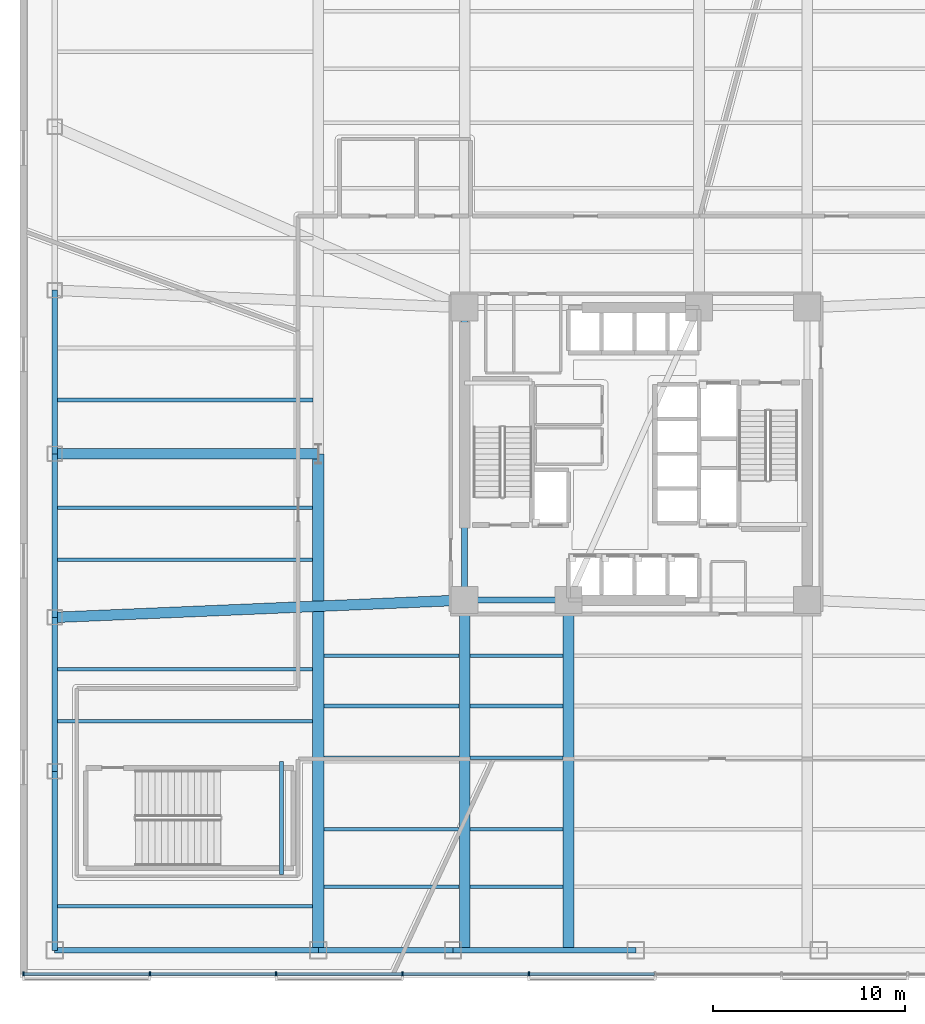
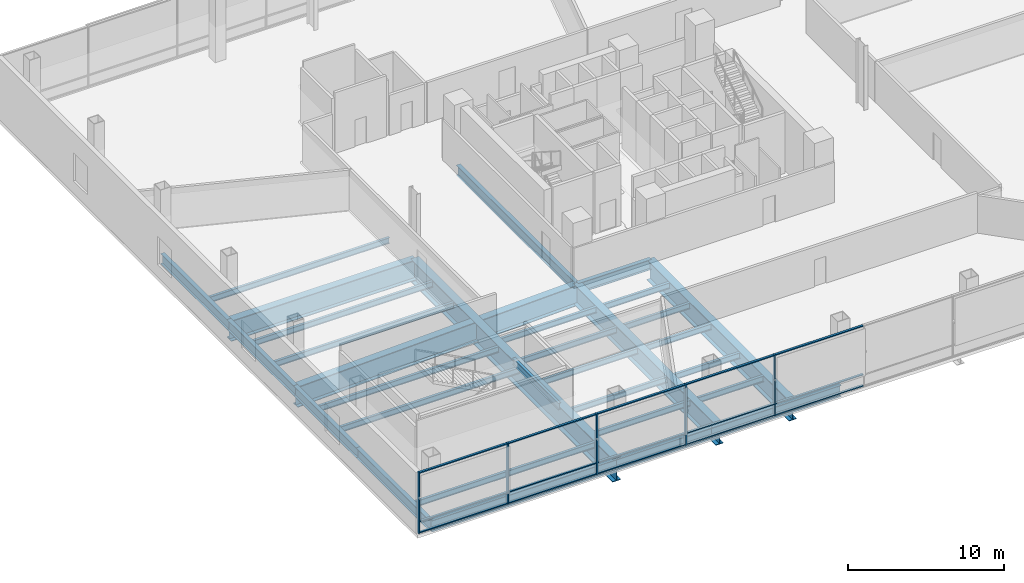
# One storey, part 2 of 24: 31 beams, 20 members, 1 element without a shape of its own.
"""IFC4 building model written with IfcOpenShell, lengths in metres."""

from ifc_helpers import new_model, si_unit, direction, frame, origin, origin_2d, place, context, subcontext, project, spatial, rectangle, i_section, extrude, material, layer, layer_set, material_profile, profile_set, type_object, element, aggregate, save


model = new_model("IFC4")

# Units and contexts
model_context = context("Model", 3, precision=1e-05, world=origin(), true_north=direction((0.0, 1.0)))
body_context = subcontext(model_context, "Body", "Model", "MODEL_VIEW")
ifc_project = project(units=[si_unit("LENGTHUNIT", "METRE"), si_unit("AREAUNIT", "SQUARE_METRE"), si_unit("VOLUMEUNIT", "CUBIC_METRE"), si_unit("PLANEANGLEUNIT", "RADIAN"), si_unit("MASSUNIT", "GRAM", prefix="KILO")], contexts=[model_context])

# Site, building, storey
site_placement = place(None, origin())
site = spatial("IfcSite", under=ifc_project, at=site_placement, CompositionType="ELEMENT")
building_placement = place(site_placement, origin())
building = spatial("IfcBuilding", under=site, at=building_placement, Name="Tharavind Bronze Gate", CompositionType="ELEMENT")
storey_placement = place(building_placement, frame((0.0, 0.0, 21.5)))
storey = spatial("IfcBuildingStorey", under=building, at=storey_placement, Name="L04", CompositionType="ELEMENT", Elevation=21.5)

# Curtain wall, members
ifc_material_1 = material(Name="Anodised Bronze Aluminium", Category="aluminium")
ifc_layer = layer(ifc_material_1, 0.219970703125)
ifc_layer_set = layer_set([ifc_layer], Name="Anodised Bronze Aluminium")
curtain_wall_type = type_object("IfcCurtainWallType", Name="UNITISED CURTAIN WALL PODIUM", PredefinedType="USERDEFINED", material=ifc_layer_set)
curtain_wall_placement = place(storey_placement, origin())
curtain_wall = element("IfcCurtainWall", 1, at=curtain_wall_placement, inside=storey, type_object=curtain_wall_type, Name="L04 unitised curtain wall podium CW-L04-S1", ObjectType="UNITISED CURTAIN WALL", PredefinedType="USERDEFINED")
member_type_1 = type_object("IfcMemberType", Name="CURTAIN WALL MULLION 80X220", PredefinedType="MULLION", material=ifc_material_1)
member_1_placement = place(storey_placement, frame((-31.820068359375, -27.02001953125, 0.0), z_axis=(0.0, 0.0, 1.0), x_axis=(1.0, 0.0, 0.0)))
member_1 = element("IfcMember", 2, at=member_1_placement, type_object=member_type_1, Name="CW-L04-S1 mullion 1", PredefinedType="MULLION", context=body_context, shape_type="SweptSolid", body=[
    extrude(rectangle(XDim=0.080078125, YDim=0.219970703125, at=origin_2d()), origin(), (0.0, 0.0, 1.0), 4.739990234375),
])
member_2_placement = place(storey_placement, frame((-25.256103515625, -27.02001953125, 0.0), z_axis=(0.0, 0.0, 1.0), x_axis=(1.0, 0.0, 0.0)))
member_2 = element("IfcMember", 3, at=member_2_placement, type_object=member_type_1, Name="CW-L04-S1 mullion 2", PredefinedType="MULLION", context=body_context, shape_type="SweptSolid", body=[
    extrude(rectangle(XDim=0.080078125, YDim=0.219970703125, at=origin_2d()), origin(), (0.0, 0.0, 1.0), 4.739990234375),
])
member_3_placement = place(storey_placement, frame((-18.69189453125, -27.02001953125, 0.0), z_axis=(0.0, 0.0, 1.0), x_axis=(1.0, 0.0, 0.0)))
member_3 = element("IfcMember", 4, at=member_3_placement, type_object=member_type_1, Name="CW-L04-S1 mullion 3", PredefinedType="MULLION", context=body_context, shape_type="SweptSolid", body=[
    extrude(rectangle(XDim=0.080078125, YDim=0.219970703125, at=origin_2d()), origin(), (0.0, 0.0, 1.0), 4.739990234375),
])
member_4_placement = place(storey_placement, frame((-12.1279296875, -27.02001953125, 0.0), z_axis=(0.0, 0.0, 1.0), x_axis=(1.0, 0.0, 0.0)))
member_4 = element("IfcMember", 5, at=member_4_placement, type_object=member_type_1, Name="CW-L04-S1 mullion 4", PredefinedType="MULLION", context=body_context, shape_type="SweptSolid", body=[
    extrude(rectangle(XDim=0.080078125, YDim=0.219970703125, at=origin_2d()), origin(), (0.0, 0.0, 1.0), 4.739990234375),
])
member_5_placement = place(storey_placement, frame((-5.56396484375, -27.02001953125, 0.0), z_axis=(0.0, 0.0, 1.0), x_axis=(1.0, 0.0, 0.0)))
member_5 = element("IfcMember", 6, at=member_5_placement, type_object=member_type_1, Name="CW-L04-S1 mullion 5", PredefinedType="MULLION", context=body_context, shape_type="SweptSolid", body=[
    extrude(rectangle(XDim=0.080078125, YDim=0.219970703125, at=origin_2d()), origin(), (0.0, 0.0, 1.0), 4.739990234375),
])
member_type_2 = type_object("IfcMemberType", Name="CURTAIN WALL TRANSOM 80X160", PredefinedType="USERDEFINED", material=ifc_material_1)
member_6_placement = place(storey_placement, frame((-28.5380859375, -27.02001953125, 0.0), z_axis=(0.0, 0.0, 1.0), x_axis=(1.0, 0.0, 0.0)))
member_6 = element("IfcMember", 7, at=member_6_placement, type_object=member_type_2, Name="CW-L04-S1 transom TB1", ObjectType="TRANSOM", PredefinedType="USERDEFINED", context=body_context, shape_type="SweptSolid", body=[
    extrude(rectangle(XDim=6.49609375, YDim=0.159912109375, at=origin_2d()), origin(), (0.0, 0.0, 1.0), 0.080078125),
])
member_7_placement = place(storey_placement, frame((-28.5380859375, -27.02001953125, 0.85986328125), z_axis=(0.0, 0.0, 1.0), x_axis=(1.0, 0.0, 0.0)))
member_7 = element("IfcMember", 8, at=member_7_placement, type_object=member_type_2, Name="CW-L04-S1 transom TS1", ObjectType="TRANSOM", PredefinedType="USERDEFINED", context=body_context, shape_type="SweptSolid", body=[
    extrude(rectangle(XDim=6.49609375, YDim=0.159912109375, at=origin_2d()), origin(), (0.0, 0.0, 1.0), 0.080078125),
])
member_8_placement = place(storey_placement, frame((-28.5380859375, -27.02001953125, 4.659912109375), z_axis=(0.0, 0.0, 1.0), x_axis=(1.0, 0.0, 0.0)))
member_8 = element("IfcMember", 9, at=member_8_placement, type_object=member_type_2, Name="CW-L04-S1 transom TT1", ObjectType="TRANSOM", PredefinedType="USERDEFINED", context=body_context, shape_type="SweptSolid", body=[
    extrude(rectangle(XDim=6.49609375, YDim=0.159912109375, at=origin_2d()), origin(), (0.0, 0.0, 1.0), 0.080078125),
])
member_9_placement = place(storey_placement, frame((-21.97412109375, -27.02001953125, 0.0), z_axis=(0.0, 0.0, 1.0), x_axis=(1.0, 0.0, 0.0)))
member_9 = element("IfcMember", 10, at=member_9_placement, type_object=member_type_2, Name="CW-L04-S1 transom TB2", ObjectType="TRANSOM", PredefinedType="USERDEFINED", context=body_context, shape_type="SweptSolid", body=[
    extrude(rectangle(XDim=6.49609375, YDim=0.159912109375, at=origin_2d()), origin(), (0.0, 0.0, 1.0), 0.080078125),
])
member_10_placement = place(storey_placement, frame((-21.97412109375, -27.02001953125, 0.85986328125), z_axis=(0.0, 0.0, 1.0), x_axis=(1.0, 0.0, 0.0)))
member_10 = element("IfcMember", 11, at=member_10_placement, type_object=member_type_2, Name="CW-L04-S1 transom TS2", ObjectType="TRANSOM", PredefinedType="USERDEFINED", context=body_context, shape_type="SweptSolid", body=[
    extrude(rectangle(XDim=6.49609375, YDim=0.159912109375, at=origin_2d()), origin(), (0.0, 0.0, 1.0), 0.080078125),
])
member_11_placement = place(storey_placement, frame((-21.97412109375, -27.02001953125, 4.659912109375), z_axis=(0.0, 0.0, 1.0), x_axis=(1.0, 0.0, 0.0)))
member_11 = element("IfcMember", 12, at=member_11_placement, type_object=member_type_2, Name="CW-L04-S1 transom TT2", ObjectType="TRANSOM", PredefinedType="USERDEFINED", context=body_context, shape_type="SweptSolid", body=[
    extrude(rectangle(XDim=6.49609375, YDim=0.159912109375, at=origin_2d()), origin(), (0.0, 0.0, 1.0), 0.080078125),
])
member_12_placement = place(storey_placement, frame((-15.409912109375, -27.02001953125, 0.0), z_axis=(0.0, 0.0, 1.0), x_axis=(1.0, 0.0, 0.0)))
member_12 = element("IfcMember", 13, at=member_12_placement, type_object=member_type_2, Name="CW-L04-S1 transom TB3", ObjectType="TRANSOM", PredefinedType="USERDEFINED", context=body_context, shape_type="SweptSolid", body=[
    extrude(rectangle(XDim=6.49609375, YDim=0.159912109375, at=origin_2d()), origin(), (0.0, 0.0, 1.0), 0.080078125),
])
member_13_placement = place(storey_placement, frame((-15.409912109375, -27.02001953125, 0.85986328125), z_axis=(0.0, 0.0, 1.0), x_axis=(1.0, 0.0, 0.0)))
member_13 = element("IfcMember", 14, at=member_13_placement, type_object=member_type_2, Name="CW-L04-S1 transom TS3", ObjectType="TRANSOM", PredefinedType="USERDEFINED", context=body_context, shape_type="SweptSolid", body=[
    extrude(rectangle(XDim=6.49609375, YDim=0.159912109375, at=origin_2d()), origin(), (0.0, 0.0, 1.0), 0.080078125),
])
member_14_placement = place(storey_placement, frame((-15.409912109375, -27.02001953125, 4.659912109375), z_axis=(0.0, 0.0, 1.0), x_axis=(1.0, 0.0, 0.0)))
member_14 = element("IfcMember", 15, at=member_14_placement, type_object=member_type_2, Name="CW-L04-S1 transom TT3", ObjectType="TRANSOM", PredefinedType="USERDEFINED", context=body_context, shape_type="SweptSolid", body=[
    extrude(rectangle(XDim=6.49609375, YDim=0.159912109375, at=origin_2d()), origin(), (0.0, 0.0, 1.0), 0.080078125),
])
member_15_placement = place(storey_placement, frame((-8.845947265625, -27.02001953125, 0.0), z_axis=(0.0, 0.0, 1.0), x_axis=(1.0, 0.0, 0.0)))
member_15 = element("IfcMember", 16, at=member_15_placement, type_object=member_type_2, Name="CW-L04-S1 transom TB4", ObjectType="TRANSOM", PredefinedType="USERDEFINED", context=body_context, shape_type="SweptSolid", body=[
    extrude(rectangle(XDim=6.49609375, YDim=0.159912109375, at=origin_2d()), origin(), (0.0, 0.0, 1.0), 0.080078125),
])
member_16_placement = place(storey_placement, frame((-8.845947265625, -27.02001953125, 0.85986328125), z_axis=(0.0, 0.0, 1.0), x_axis=(1.0, 0.0, 0.0)))
member_16 = element("IfcMember", 17, at=member_16_placement, type_object=member_type_2, Name="CW-L04-S1 transom TS4", ObjectType="TRANSOM", PredefinedType="USERDEFINED", context=body_context, shape_type="SweptSolid", body=[
    extrude(rectangle(XDim=6.49609375, YDim=0.159912109375, at=origin_2d()), origin(), (0.0, 0.0, 1.0), 0.080078125),
])
member_17_placement = place(storey_placement, frame((-8.845947265625, -27.02001953125, 4.659912109375), z_axis=(0.0, 0.0, 1.0), x_axis=(1.0, 0.0, 0.0)))
member_17 = element("IfcMember", 18, at=member_17_placement, type_object=member_type_2, Name="CW-L04-S1 transom TT4", ObjectType="TRANSOM", PredefinedType="USERDEFINED", context=body_context, shape_type="SweptSolid", body=[
    extrude(rectangle(XDim=6.49609375, YDim=0.159912109375, at=origin_2d()), origin(), (0.0, 0.0, 1.0), 0.080078125),
])
member_18_placement = place(storey_placement, frame((-2.281982421875, -27.02001953125, 0.0), z_axis=(0.0, 0.0, 1.0), x_axis=(1.0, 0.0, 0.0)))
member_18 = element("IfcMember", 19, at=member_18_placement, type_object=member_type_2, Name="CW-L04-S1 transom TB5", ObjectType="TRANSOM", PredefinedType="USERDEFINED", context=body_context, shape_type="SweptSolid", body=[
    extrude(rectangle(XDim=6.49609375, YDim=0.159912109375, at=origin_2d()), origin(), (0.0, 0.0, 1.0), 0.080078125),
])
member_19_placement = place(storey_placement, frame((-2.281982421875, -27.02001953125, 0.85986328125), z_axis=(0.0, 0.0, 1.0), x_axis=(1.0, 0.0, 0.0)))
member_19 = element("IfcMember", 20, at=member_19_placement, type_object=member_type_2, Name="CW-L04-S1 transom TS5", ObjectType="TRANSOM", PredefinedType="USERDEFINED", context=body_context, shape_type="SweptSolid", body=[
    extrude(rectangle(XDim=6.49609375, YDim=0.159912109375, at=origin_2d()), origin(), (0.0, 0.0, 1.0), 0.080078125),
])
member_20_placement = place(storey_placement, frame((-2.281982421875, -27.02001953125, 4.659912109375), z_axis=(0.0, 0.0, 1.0), x_axis=(1.0, 0.0, 0.0)))
member_20 = element("IfcMember", 21, at=member_20_placement, type_object=member_type_2, Name="CW-L04-S1 transom TT5", ObjectType="TRANSOM", PredefinedType="USERDEFINED", context=body_context, shape_type="SweptSolid", body=[
    extrude(rectangle(XDim=6.49609375, YDim=0.159912109375, at=origin_2d()), origin(), (0.0, 0.0, 1.0), 0.080078125),
])
aggregate(curtain_wall, [member_1, member_2, member_3, member_4, member_5, member_6, member_7, member_8, member_9, member_10, member_11, member_12, member_13, member_14, member_15, member_16, member_17, member_18, member_19, member_20])

# Beams
ifc_material_2 = material(Name="Steel S355", Category="steel")
ifc_material_profile_1 = material_profile(ifc_material_2, i_section(OverallWidth=0.199951171875, OverallDepth=0.5, WebThickness=0.01025390625, FlangeThickness=0.01611328125, at=origin_2d()), Name="IPE500")
ifc_profile_set_1 = profile_set([ifc_material_profile_1], Name="Steel S355")
beam_type_1 = type_object("IfcBeamType", Name="PRIMARY GIRDER IPE500", PredefinedType="USERDEFINED", material=ifc_profile_set_1)
beam_1_placement = place(storey_placement, frame((-18.419921875, -21.85009765625, 2.050048828125), z_axis=(0.0, 1.0, 0.0), x_axis=(-1.0, 0.0, 0.0)))
element("IfcBeam", 22, at=beam_1_placement, inside=storey, type_object=beam_type_1, Name="L04 primary girder ipe500 BM-LD-ST3-L04-1", ObjectType="GIRDER", PredefinedType="USERDEFINED", context=body_context, shape_type="SweptSolid", body=[
    extrude(i_section(OverallWidth=0.199951171875, OverallDepth=0.5, WebThickness=0.01025390625, FlangeThickness=0.01611328125, at=origin_2d()), origin(), (0.0, 0.0, 1.0), 5.85009765625),
])
ifc_material_profile_2 = material_profile(ifc_material_2, i_section(OverallWidth=0.300048828125, OverallDepth=0.800048828125, WebThickness=0.017578125, FlangeThickness=0.032958984375, at=origin_2d()), Name="HE800B")
ifc_profile_set_2 = profile_set([ifc_material_profile_2], Name="Steel S355")
beam_type_2 = type_object("IfcBeamType", Name="RING GIRDER HE800B", PredefinedType="USERDEFINED", material=ifc_profile_set_2)
beam_2_placement = place(storey_placement, frame((-8.89990234375, -7.60009765625, -0.659912109375), z_axis=(1.0, 0.0, 0.0), x_axis=(0.0, 1.0, 0.0)))
element("IfcBeam", 23, at=beam_2_placement, inside=storey, type_object=beam_type_2, Name="L04 ring girder he800b BM-L04-CR1", ObjectType="GIRDER", PredefinedType="USERDEFINED", context=body_context, shape_type="SweptSolid", body=[
    extrude(i_section(OverallWidth=0.300048828125, OverallDepth=0.800048828125, WebThickness=0.017578125, FlangeThickness=0.032958984375, at=origin_2d()), origin(), (0.0, 0.0, 1.0), 5.39990234375),
])
beam_3_placement = place(storey_placement, frame((-8.89990234375, 7.60009765625, -0.659912109375), z_axis=(0.0, -1.0, 0.0), x_axis=(1.0, 0.0, 0.0)))
element("IfcBeam", 24, at=beam_3_placement, inside=storey, type_object=beam_type_2, Name="L04 ring girder he800b BM-L04-CR6", ObjectType="GIRDER", PredefinedType="USERDEFINED", context=body_context, shape_type="SweptSolid", body=[
    extrude(i_section(OverallWidth=0.300048828125, OverallDepth=0.800048828125, WebThickness=0.017578125, FlangeThickness=0.032958984375, at=origin_2d()), origin(), (0.0, 0.0, 1.0), 15.2001953125),
])
beam_4_placement = place(storey_placement, frame((-30.199951171875, -25.800048828125, -0.659912109375), z_axis=(0.0, 1.0, 0.0), x_axis=(-1.0, 0.0, 0.0)))
element("IfcBeam", 25, at=beam_4_placement, inside=storey, type_object=beam_type_2, Name="L04 ring girder he800b BM-L04-PW1", ObjectType="GIRDER", PredefinedType="USERDEFINED", context=body_context, shape_type="SweptSolid", body=[
    extrude(i_section(OverallWidth=0.300048828125, OverallDepth=0.800048828125, WebThickness=0.017578125, FlangeThickness=0.032958984375, at=origin_2d()), origin(), (0.0, 0.0, 1.0), 9.300048828125),
])
beam_5_placement = place(storey_placement, frame((-30.199951171875, -16.5, -0.659912109375), z_axis=(0.0, 1.0, 0.0), x_axis=(-1.0, 0.0, 0.0)))
element("IfcBeam", 26, at=beam_5_placement, inside=storey, type_object=beam_type_2, Name="L04 ring girder he800b BM-L04-PW2", ObjectType="GIRDER", PredefinedType="USERDEFINED", context=body_context, shape_type="SweptSolid", body=[
    extrude(i_section(OverallWidth=0.300048828125, OverallDepth=0.800048828125, WebThickness=0.017578125, FlangeThickness=0.032958984375, at=origin_2d()), origin(), (0.0, 0.0, 1.0), 8.0),
])
for number, where, z_axis, x_axis, name in (
    (27, (-30.199951171875, -8.5, -0.659912109375), (0.0, 1.0, 0.0), (-1.0, 0.0, 0.0), "L04 ring girder he800b BM-L04-PW3"),
    (28, (-30.199951171875, 0.0, -0.659912109375), (0.0, 1.0, 0.0), (-1.0, 0.0, 0.0), "L04 ring girder he800b BM-L04-PW4"),
):
    element("IfcBeam", number, at=place(storey_placement, frame(where, z_axis=z_axis, x_axis=x_axis)), inside=storey, type_object=beam_type_2, Name=name, ObjectType="GIRDER", PredefinedType="USERDEFINED", context=body_context, shape_type="SweptSolid", body=[
        extrude(i_section(OverallWidth=0.300048828125, OverallDepth=0.800048828125, WebThickness=0.017578125, FlangeThickness=0.032958984375, at=origin_2d()), origin(), (0.0, 0.0, 1.0), 8.5),
    ])
ifc_material_profile_3 = material_profile(ifc_material_2, i_section(OverallWidth=0.18994140625, OverallDepth=0.449951171875, WebThickness=0.009521484375, FlangeThickness=0.0146484375, at=origin_2d()), Name="IPE450")
ifc_profile_set_3 = profile_set([ifc_material_profile_3], Name="Steel S355")
beam_type_3 = type_object("IfcBeamType", Name="SECONDARY FLOOR JOIST IPE450", PredefinedType="JOIST", material=ifc_profile_set_3)
beam_6_placement = place(storey_placement, frame((-8.623046875, -22.5, -0.485107421875), z_axis=(1.0, 0.0, 0.0), x_axis=(0.0, 1.0, 0.0)))
element("IfcBeam", 29, at=beam_6_placement, inside=storey, type_object=beam_type_3, Name="L04 secondary floor joist ipe450 BM-L04-JSS1A", PredefinedType="JOIST", context=body_context, shape_type="SweptSolid", body=[
    extrude(i_section(OverallWidth=0.18994140625, OverallDepth=0.449951171875, WebThickness=0.009521484375, FlangeThickness=0.0146484375, at=origin_2d()), origin(), (0.0, 0.0, 1.0), 4.845947265625),
])
beam_7_placement = place(storey_placement, frame((-16.197998046875, -22.5, -0.485107421875), z_axis=(1.0, 0.0, 0.0), x_axis=(0.0, 1.0, 0.0)))
element("IfcBeam", 30, at=beam_7_placement, inside=storey, type_object=beam_type_3, Name="L04 secondary floor joist ipe450 BM-L04-JSS1W", PredefinedType="JOIST", context=body_context, shape_type="SweptSolid", body=[
    extrude(i_section(OverallWidth=0.18994140625, OverallDepth=0.449951171875, WebThickness=0.009521484375, FlangeThickness=0.0146484375, at=origin_2d()), origin(), (0.0, 0.0, 1.0), 7.02099609375),
])
beam_8_placement = place(storey_placement, frame((-8.623046875, -19.5, -0.485107421875), z_axis=(1.0, 0.0, 0.0), x_axis=(0.0, 1.0, 0.0)))
element("IfcBeam", 31, at=beam_8_placement, inside=storey, type_object=beam_type_3, Name="L04 secondary floor joist ipe450 BM-L04-JSS2A", PredefinedType="JOIST", context=body_context, shape_type="SweptSolid", body=[
    extrude(i_section(OverallWidth=0.18994140625, OverallDepth=0.449951171875, WebThickness=0.009521484375, FlangeThickness=0.0146484375, at=origin_2d()), origin(), (0.0, 0.0, 1.0), 4.845947265625),
])
beam_9_placement = place(storey_placement, frame((-16.197998046875, -19.5, -0.485107421875), z_axis=(1.0, 0.0, 0.0), x_axis=(0.0, 1.0, 0.0)))
element("IfcBeam", 32, at=beam_9_placement, inside=storey, type_object=beam_type_3, Name="L04 secondary floor joist ipe450 BM-L04-JSS2W", PredefinedType="JOIST", context=body_context, shape_type="SweptSolid", body=[
    extrude(i_section(OverallWidth=0.18994140625, OverallDepth=0.449951171875, WebThickness=0.009521484375, FlangeThickness=0.0146484375, at=origin_2d()), origin(), (0.0, 0.0, 1.0), 7.02099609375),
])
beam_10_placement = place(storey_placement, frame((-8.623046875, -15.800048828125, -0.485107421875), z_axis=(1.0, 0.0, 0.0), x_axis=(0.0, 1.0, 0.0)))
element("IfcBeam", 33, at=beam_10_placement, inside=storey, type_object=beam_type_3, Name="L04 secondary floor joist ipe450 BM-L04-JSS3A", PredefinedType="JOIST", context=body_context, shape_type="SweptSolid", body=[
    extrude(i_section(OverallWidth=0.18994140625, OverallDepth=0.449951171875, WebThickness=0.009521484375, FlangeThickness=0.0146484375, at=origin_2d()), origin(), (0.0, 0.0, 1.0), 4.845947265625),
])
beam_11_placement = place(storey_placement, frame((-16.197998046875, -15.800048828125, -0.485107421875), z_axis=(1.0, 0.0, 0.0), x_axis=(0.0, 1.0, 0.0)))
element("IfcBeam", 34, at=beam_11_placement, inside=storey, type_object=beam_type_3, Name="L04 secondary floor joist ipe450 BM-L04-JSS3W", PredefinedType="JOIST", context=body_context, shape_type="SweptSolid", body=[
    extrude(i_section(OverallWidth=0.18994140625, OverallDepth=0.449951171875, WebThickness=0.009521484375, FlangeThickness=0.0146484375, at=origin_2d()), origin(), (0.0, 0.0, 1.0), 7.02099609375),
])
beam_12_placement = place(storey_placement, frame((-8.623046875, -13.10009765625, -0.485107421875), z_axis=(1.0, 0.0, 0.0), x_axis=(0.0, 1.0, 0.0)))
element("IfcBeam", 35, at=beam_12_placement, inside=storey, type_object=beam_type_3, Name="L04 secondary floor joist ipe450 BM-L04-JSS4A", PredefinedType="JOIST", context=body_context, shape_type="SweptSolid", body=[
    extrude(i_section(OverallWidth=0.18994140625, OverallDepth=0.449951171875, WebThickness=0.009521484375, FlangeThickness=0.0146484375, at=origin_2d()), origin(), (0.0, 0.0, 1.0), 4.845947265625),
])
beam_13_placement = place(storey_placement, frame((-16.197998046875, -13.10009765625, -0.485107421875), z_axis=(1.0, 0.0, 0.0), x_axis=(0.0, 1.0, 0.0)))
element("IfcBeam", 36, at=beam_13_placement, inside=storey, type_object=beam_type_3, Name="L04 secondary floor joist ipe450 BM-L04-JSS4W", PredefinedType="JOIST", context=body_context, shape_type="SweptSolid", body=[
    extrude(i_section(OverallWidth=0.18994140625, OverallDepth=0.449951171875, WebThickness=0.009521484375, FlangeThickness=0.0146484375, at=origin_2d()), origin(), (0.0, 0.0, 1.0), 7.02099609375),
])
beam_14_placement = place(storey_placement, frame((-8.623046875, -10.5, -0.485107421875), z_axis=(1.0, 0.0, 0.0), x_axis=(0.0, 1.0, 0.0)))
element("IfcBeam", 37, at=beam_14_placement, inside=storey, type_object=beam_type_3, Name="L04 secondary floor joist ipe450 BM-L04-JSS5A", PredefinedType="JOIST", context=body_context, shape_type="SweptSolid", body=[
    extrude(i_section(OverallWidth=0.18994140625, OverallDepth=0.449951171875, WebThickness=0.009521484375, FlangeThickness=0.0146484375, at=origin_2d()), origin(), (0.0, 0.0, 1.0), 4.845947265625),
])
beam_15_placement = place(storey_placement, frame((-16.197998046875, -10.5, -0.485107421875), z_axis=(1.0, 0.0, 0.0), x_axis=(0.0, 1.0, 0.0)))
element("IfcBeam", 38, at=beam_15_placement, inside=storey, type_object=beam_type_3, Name="L04 secondary floor joist ipe450 BM-L04-JSS5W", PredefinedType="JOIST", context=body_context, shape_type="SweptSolid", body=[
    extrude(i_section(OverallWidth=0.18994140625, OverallDepth=0.449951171875, WebThickness=0.009521484375, FlangeThickness=0.0146484375, at=origin_2d()), origin(), (0.0, 0.0, 1.0), 7.02099609375),
])
for number, where, z_axis, x_axis, name in (
    (39, (-30.0400390625, -23.5, -0.485107421875), (1.0, 0.0, 0.0), (0.0, 1.0, 0.0), "L04 secondary floor joist ipe450 BM-L04-JSWW1"),
    (40, (-30.0400390625, -13.89990234375, -0.485107421875), (1.0, 0.0, 0.0), (0.0, 1.0, 0.0), "L04 secondary floor joist ipe450 BM-L04-JSWW2"),
    (41, (-30.0400390625, -11.199951171875, -0.485107421875), (1.0, 0.0, 0.0), (0.0, 1.0, 0.0), "L04 secondary floor joist ipe450 BM-L04-JSWW3"),
    (42, (-30.0400390625, -5.5, -0.485107421875), (1.0, 0.0, 0.0), (0.0, 1.0, 0.0), "L04 secondary floor joist ipe450 BM-L04-JSWW4"),
    (43, (-30.0400390625, -2.800048828125, -0.485107421875), (1.0, 0.0, 0.0), (0.0, 1.0, 0.0), "L04 secondary floor joist ipe450 BM-L04-JSWW5"),
):
    element("IfcBeam", number, at=place(storey_placement, frame(where, z_axis=z_axis, x_axis=x_axis)), inside=storey, type_object=beam_type_3, Name=name, PredefinedType="JOIST", context=body_context, shape_type="SweptSolid", body=[
        extrude(i_section(OverallWidth=0.18994140625, OverallDepth=0.449951171875, WebThickness=0.009521484375, FlangeThickness=0.0146484375, at=origin_2d()), origin(), (0.0, 0.0, 1.0), 13.238037109375),
    ])
beam_16_placement = place(storey_placement, frame((-30.0400390625, 2.800048828125, -0.485107421875), z_axis=(1.0, 0.0, 0.0), x_axis=(0.0, 1.0, 0.0)))
element("IfcBeam", 44, at=beam_16_placement, inside=storey, type_object=beam_type_3, Name="L04 secondary floor joist ipe450 BM-L04-JSWW6", PredefinedType="JOIST", context=body_context, shape_type="SweptSolid", body=[
    extrude(i_section(OverallWidth=0.18994140625, OverallDepth=0.449951171875, WebThickness=0.009521484375, FlangeThickness=0.0146484375, at=origin_2d()), origin(), (0.0, 0.0, 1.0), 13.262939453125),
])
ifc_material_profile_4 = material_profile(ifc_material_2, i_section(OverallWidth=0.300048828125, OverallDepth=0.89990234375, WebThickness=0.0185546875, FlangeThickness=0.034912109375, at=origin_2d()), Name="HE900B")
ifc_profile_set_4 = profile_set([ifc_material_profile_4], Name="Steel S355")
beam_type_4 = type_object("IfcBeamType", Name="SPANDREL RING BEAM HE900B", PredefinedType="SPANDREL", material=ifc_profile_set_4)
beam_17_placement = place(storey_placement, frame((-30.199951171875, -25.800048828125, -0.7099609375), z_axis=(1.0, 0.0, 0.0), x_axis=(0.0, 1.0, 0.0)))
element("IfcBeam", 45, at=beam_17_placement, inside=storey, type_object=beam_type_4, Name="L04 spandrel ring beam he900b BM-L04-PS1", PredefinedType="SPANDREL", context=body_context, shape_type="SweptSolid", body=[
    extrude(i_section(OverallWidth=0.300048828125, OverallDepth=0.89990234375, WebThickness=0.0185546875, FlangeThickness=0.034912109375, at=origin_2d()), origin(), (0.0, 0.0, 1.0), 13.699951171875),
])
beam_18_placement = place(storey_placement, frame((-16.5, -25.800048828125, -0.7099609375), z_axis=(1.0, 0.0, 0.0), x_axis=(0.0, 1.0, 0.0)))
element("IfcBeam", 46, at=beam_18_placement, inside=storey, type_object=beam_type_4, Name="L04 spandrel ring beam he900b BM-L04-PS2", PredefinedType="SPANDREL", context=body_context, shape_type="SweptSolid", body=[
    extrude(i_section(OverallWidth=0.300048828125, OverallDepth=0.89990234375, WebThickness=0.0185546875, FlangeThickness=0.034912109375, at=origin_2d()), origin(), (0.0, 0.0, 1.0), 7.0),
])
beam_19_placement = place(storey_placement, frame((-9.5, -25.800048828125, -0.7099609375), z_axis=(1.0, 0.0, 0.0), x_axis=(0.0, 1.0, 0.0)))
element("IfcBeam", 47, at=beam_19_placement, inside=storey, type_object=beam_type_4, Name="L04 spandrel ring beam he900b BM-L04-PS3", PredefinedType="SPANDREL", context=body_context, shape_type="SweptSolid", body=[
    extrude(i_section(OverallWidth=0.300048828125, OverallDepth=0.89990234375, WebThickness=0.0185546875, FlangeThickness=0.034912109375, at=origin_2d()), origin(), (0.0, 0.0, 1.0), 9.5),
])
ifc_material_3 = material(Name="Steel S460", Category="steel")
ifc_material_profile_5 = material_profile(ifc_material_3, i_section(OverallWidth=0.550048828125, OverallDepth=1.60009765625, WebThickness=0.030029296875, FlangeThickness=0.050048828125, at=origin_2d()), Name="PG1600X550")
ifc_profile_set_5 = profile_set([ifc_material_profile_5], Name="Steel S460")
beam_type_5 = type_object("IfcBeamType", Name="TRANSFER GIRDER 1600X550", PredefinedType="USERDEFINED", material=ifc_profile_set_5)
for number, where, z_axis, x_axis, name in (
    (48, (-8.89990234375, -25.800048828125, -1.06005859375), (0.0, 1.0, 0.0), (-1.0, 0.0, 0.0), "L04 transfer girder 1600x550 BM-L04-GS2"),
    (49, (-3.5, -25.800048828125, -1.06005859375), (0.0, 1.0, 0.0), (-1.0, 0.0, 0.0), "L04 transfer girder 1600x550 BM-L04-GS3"),
):
    element("IfcBeam", number, at=place(storey_placement, frame(where, z_axis=z_axis, x_axis=x_axis)), inside=storey, type_object=beam_type_5, Name=name, ObjectType="TRANSFER GIRDER", PredefinedType="USERDEFINED", context=body_context, shape_type="SweptSolid", body=[
        extrude(i_section(OverallWidth=0.550048828125, OverallDepth=1.60009765625, WebThickness=0.030029296875, FlangeThickness=0.050048828125, at=origin_2d()), origin(), (0.0, 0.0, 1.0), 18.199951171875),
    ])
beam_20_placement = place(storey_placement, frame((-30.199951171875, -8.5, -1.06005859375), z_axis=(0.999108710794, 0.04221118354, 0.0), x_axis=(-0.04221118354, 0.999108710794, 0.0)))
element("IfcBeam", 50, at=beam_20_placement, inside=storey, type_object=beam_type_5, Name="L04 transfer girder 1600x550 BM-L04-GW1", ObjectType="TRANSFER GIRDER", PredefinedType="USERDEFINED", context=body_context, shape_type="SweptSolid", body=[
    extrude(i_section(OverallWidth=0.550048828125, OverallDepth=1.60009765625, WebThickness=0.030029296875, FlangeThickness=0.050048828125, at=origin_2d()), origin(), (0.0, 0.0, 1.0), 21.319091796875),
])
beam_21_placement = place(storey_placement, frame((-30.199951171875, 0.0, -1.06005859375), z_axis=(1.0, 0.0, 0.0), x_axis=(0.0, 1.0, 0.0)))
element("IfcBeam", 51, at=beam_21_placement, inside=storey, type_object=beam_type_5, Name="L04 transfer girder 1600x550 BM-L04-GW3", ObjectType="TRANSFER GIRDER", PredefinedType="USERDEFINED", context=body_context, shape_type="SweptSolid", body=[
    extrude(i_section(OverallWidth=0.550048828125, OverallDepth=1.60009765625, WebThickness=0.030029296875, FlangeThickness=0.050048828125, at=origin_2d()), origin(), (0.0, 0.0, 1.0), 13.699951171875),
])
ifc_material_profile_6 = material_profile(ifc_material_3, i_section(OverallWidth=0.60009765625, OverallDepth=1.800048828125, WebThickness=0.031982421875, FlangeThickness=0.054931640625, at=origin_2d()), Name="PG1800X600")
ifc_profile_set_6 = profile_set([ifc_material_profile_6], Name="Steel S460")
beam_type_6 = type_object("IfcBeamType", Name="TRANSFER GIRDER 1800X600", PredefinedType="USERDEFINED", material=ifc_profile_set_6)
beam_22_placement = place(storey_placement, frame((-16.5, -25.800048828125, -1.159912109375), z_axis=(0.0, 1.0, 0.0), x_axis=(-1.0, 0.0, 0.0)))
element("IfcBeam", 52, at=beam_22_placement, inside=storey, type_object=beam_type_6, Name="L04 transfer girder 1800x600 BM-L04-GS1S", ObjectType="TRANSFER GIRDER", PredefinedType="USERDEFINED", context=body_context, shape_type="SweptSolid", body=[
    extrude(i_section(OverallWidth=0.60009765625, OverallDepth=1.800048828125, WebThickness=0.031982421875, FlangeThickness=0.054931640625, at=origin_2d()), origin(), (0.0, 0.0, 1.0), 25.800048828125),
])

save(model, "model.ifc")
